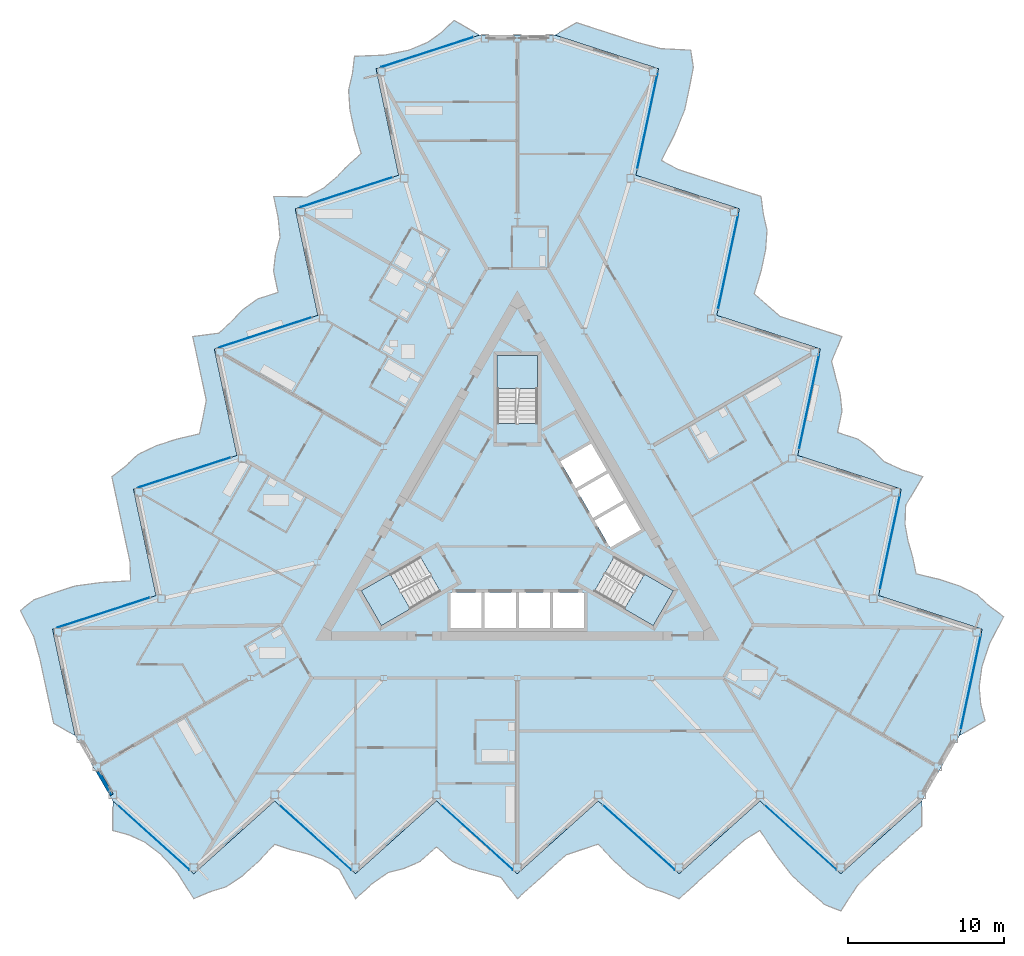
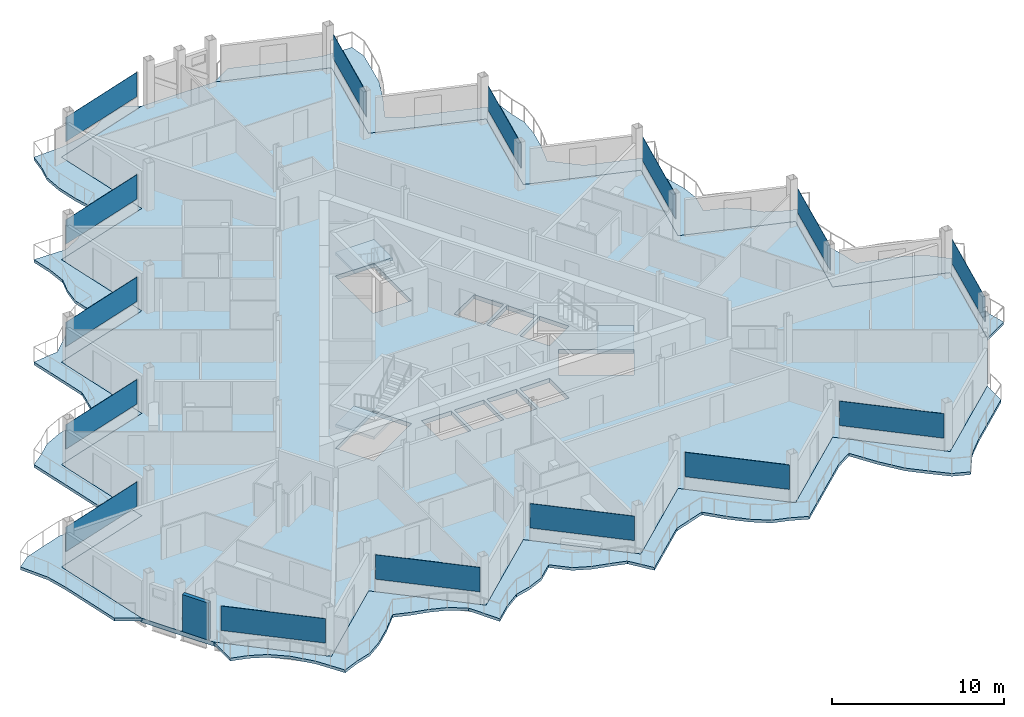
# One storey, part 11 of 26: 15 plates, 7 slabs, 1 wall, 18 elements without a shape of their own.
"""IFC4 building model written with IfcOpenShell, lengths in metres."""

from ifc_helpers import new_model, si_unit, direction, frame, frame_2d, origin, origin_2d, place, context, subcontext, project, spatial, polyline, rectangle, outline, extrude, material, layer, layer_set, type_object, element, aggregate, save


model = new_model("IFC4")

# Units and contexts
model_context = context("Model", 3, precision=1e-05, world=origin(), true_north=direction((0.0, 1.0)))
body_context = subcontext(model_context, "Body", "Model", "MODEL_VIEW")
ifc_project = project(units=[si_unit("LENGTHUNIT", "METRE"), si_unit("AREAUNIT", "SQUARE_METRE"), si_unit("VOLUMEUNIT", "CUBIC_METRE"), si_unit("PLANEANGLEUNIT", "RADIAN"), si_unit("MASSUNIT", "GRAM", prefix="KILO")], contexts=[model_context])

# Site, building, storey
site_placement = place(None, origin())
site = spatial("IfcSite", under=ifc_project, at=site_placement, CompositionType="ELEMENT")
building_placement = place(site_placement, origin())
building = spatial("IfcBuilding", under=site, at=building_placement, Name="Cormorant Prow Tower", CompositionType="ELEMENT")
storey_placement = place(building_placement, frame((0.0, 0.0, 381.39990234375)))
storey = spatial("IfcBuildingStorey", under=building, at=storey_placement, Name="L86", CompositionType="ELEMENT", Elevation=381.39990234375)

# Slabs
ifc_material_1 = material(Name="Concrete C40/50", Category="concrete")
ifc_layer_1 = layer(ifc_material_1, 0.199951171875)
ifc_layer_set_1 = layer_set([ifc_layer_1], Name="Concrete C40/50")
slab_type_1 = type_object("IfcSlabType", Name="Balcony slab 200", PredefinedType="FLOOR", material=ifc_layer_set_1)
slab_1_placement = place(storey_placement, frame((0.0, 0.0, -0.199951171875)))
element("IfcSlab", 1, at=slab_1_placement, inside=storey, type_object=slab_type_1, Name="Balcony slab S L86", PredefinedType="FLOOR", context=body_context, shape_type="SweptSolid", body=[
    extrude(outline(polyline([(-26.0, -17.8095703125), (-26.0, -19.709716796875), (-24.9599609375, -19.9931640625), (-23.919921875, -20.468994140625), (-22.8798828125, -21.272705078125), (-21.840087890625, -22.443359375), (-20.800048828125, -24.091796875), (-19.760009765625, -23.6494140625), (-18.719970703125, -23.329345703125), (-17.679931640625, -22.632568359375), (-16.639892578125, -21.696044921875), (-15.60009765625, -20.595458984375), (-14.56005859375, -20.940673828125), (-13.52001953125, -21.19921875), (-12.47998046875, -21.570556640625), (-11.43994140625, -22.221435546875), (-10.39990234375, -24.091796875), (-9.360107421875, -23.1552734375), (-8.320068359375, -22.416259765625), (-7.280029296875, -22.145751953125), (-6.239990234375, -21.696044921875), (-5.199951171875, -20.759765625), (-4.159912109375, -21.696044921875), (-3.1201171875, -22.1552734375), (-2.080078125, -22.427001953125), (-1.0400390625, -22.725830078125), (0.0, -24.091796875), (1.0400390625, -23.1552734375), (2.080078125, -22.218994140625), (3.1201171875, -21.282470703125), (4.159912109375, -20.930419921875), (5.199951171875, -20.587890625), (6.239990234375, -21.696044921875), (7.280029296875, -22.632568359375), (8.320068359375, -23.33740234375), (9.360107421875, -23.659912109375), (10.39990234375, -24.091796875), (11.43994140625, -23.1552734375), (12.47998046875, -22.218994140625), (13.52001953125, -21.282470703125), (14.56005859375, -20.34619140625), (15.60009765625, -19.698974609375), (16.639892578125, -21.289794921875), (17.679931640625, -22.632568359375), (18.719970703125, -23.56884765625), (19.760009765625, -24.473388671875), (20.800048828125, -24.881103515625), (21.840087890625, -23.27197265625), (22.8798828125, -22.218994140625), (23.919921875, -21.282470703125), (24.9599609375, -20.34619140625), (26.0, -19.40966796875), (26.0, -17.8095703125), (24.9599609375, -18.74609375), (23.919921875, -19.6826171875), (22.8798828125, -20.618896484375), (21.840087890625, -21.555419921875), (20.800048828125, -22.49169921875), (19.760009765625, -21.555419921875), (18.719970703125, -20.618896484375), (17.679931640625, -19.6826171875), (16.639892578125, -18.74609375), (15.60009765625, -17.8095703125), (14.56005859375, -18.74609375), (13.52001953125, -19.6826171875), (12.47998046875, -20.618896484375), (11.43994140625, -21.555419921875), (10.39990234375, -22.49169921875), (9.360107421875, -21.555419921875), (8.320068359375, -20.618896484375), (7.280029296875, -19.6826171875), (6.239990234375, -18.74609375), (5.199951171875, -17.8095703125), (4.159912109375, -18.74609375), (3.1201171875, -19.6826171875), (2.080078125, -20.618896484375), (1.0400390625, -21.555419921875), (0.0, -22.49169921875), (-1.0400390625, -21.555419921875), (-2.080078125, -20.618896484375), (-3.1201171875, -19.6826171875), (-4.159912109375, -18.74609375), (-5.199951171875, -17.8095703125), (-6.239990234375, -18.74609375), (-7.280029296875, -19.6826171875), (-8.320068359375, -20.618896484375), (-9.360107421875, -21.555419921875), (-10.39990234375, -22.49169921875), (-11.43994140625, -21.555419921875), (-12.47998046875, -20.618896484375), (-13.52001953125, -19.6826171875), (-14.56005859375, -18.74609375), (-15.60009765625, -17.8095703125), (-16.639892578125, -18.74609375), (-17.679931640625, -19.6826171875), (-18.719970703125, -20.618896484375), (-19.760009765625, -21.555419921875), (-20.800048828125, -22.49169921875), (-21.840087890625, -21.555419921875), (-22.8798828125, -20.618896484375), (-23.919921875, -19.6826171875), (-24.9599609375, -18.74609375), (-26.0, -17.8095703125)])), origin(), (0.0, 0.0, 1.0), 0.199951171875),
])
slab_2_placement = place(storey_placement, frame((0.0, 0.0, -0.199951171875)))
element("IfcSlab", 2, at=slab_2_placement, inside=storey, type_object=slab_type_1, Name="Balcony slab ENE L86", PredefinedType="FLOOR", context=body_context, shape_type="SweptSolid", body=[
    extrude(outline(polyline([(28.423583984375, -13.61181640625), (30.069091796875, -12.661865234375), (29.794677734375, -11.619384765625), (29.686767578125, -10.48095703125), (29.86279296875, -9.17822265625), (30.356689453125, -7.6923828125), (31.26416015625, -5.967529296875), (30.36083984375, -5.2880859375), (29.563720703125, -4.54736328125), (28.4404296875, -3.9951171875), (27.109375, -3.562744140625), (25.63623046875, -3.21240234375), (25.415283203125, -2.138916015625), (25.119140625, -1.109130859375), (24.920654296875, -0.022705078125), (24.964111328125, 1.203369140625), (26.06396484375, 3.039306640625), (24.733154296875, 3.4716796875), (23.572998046875, 4.0029296875), (22.81884765625, 4.768310546875), (21.909423828125, 5.444091796875), (20.578369140625, 5.87646484375), (20.869384765625, 7.245361328125), (20.7470703125, 8.37548828125), (20.46240234375, 9.412109375), (20.201171875, 10.462158203125), (20.864013671875, 12.0458984375), (19.533203125, 12.478271484375), (18.2021484375, 12.910888671875), (16.87109375, 13.34326171875), (16.046142578125, 14.06787109375), (15.229736328125, 14.79736328125), (15.66943359375, 16.251953125), (15.960205078125, 17.620849609375), (16.05078125, 18.8740234375), (15.81005859375, 19.935791015625), (15.6640625, 21.052490234375), (14.3330078125, 21.485107421875), (13.002197265625, 21.91748046875), (11.671142578125, 22.349853515625), (10.34033203125, 22.782470703125), (9.259765625, 23.359619140625), (10.11767578125, 25.0556640625), (10.76025390625, 26.627685546875), (11.05126953125, 27.996337890625), (11.314697265625, 29.349365234375), (11.147705078125, 30.453857421875), (9.234130859375, 30.550048828125), (7.80224609375, 30.924072265625), (6.47119140625, 31.356689453125), (5.14013671875, 31.7890625), (3.809326171875, 32.221435546875), (2.423583984375, 31.42138671875), (3.754638671875, 30.989013671875), (5.08544921875, 30.556640625), (6.41650390625, 30.1240234375), (7.74755859375, 29.691650390625), (9.078369140625, 29.25927734375), (8.787353515625, 27.890380859375), (8.49658203125, 26.521484375), (8.20556640625, 25.152587890625), (7.91455078125, 23.78369140625), (7.62353515625, 22.414794921875), (8.95458984375, 21.982421875), (10.28564453125, 21.5498046875), (11.616455078125, 21.117431640625), (12.947509765625, 20.68505859375), (14.2783203125, 20.25244140625), (13.987548828125, 18.8837890625), (13.696533203125, 17.514892578125), (13.405517578125, 16.14599609375), (13.114501953125, 14.777099609375), (12.82373046875, 13.408203125), (14.154541015625, 12.9755859375), (15.485595703125, 12.543212890625), (16.81640625, 12.11083984375), (18.1474609375, 11.67822265625), (19.478515625, 11.245849609375), (19.1875, 9.876953125), (18.896484375, 8.508056640625), (18.60546875, 7.13916015625), (18.314697265625, 5.770263671875), (18.023681640625, 4.401611328125), (19.3544921875, 3.968994140625), (20.685546875, 3.53662109375), (22.0166015625, 3.104248046875), (23.347412109375, 2.671630859375), (24.678466796875, 2.2392578125), (24.387451171875, 0.870361328125), (24.096435546875, -0.49853515625), (23.8056640625, -1.867431640625), (23.5146484375, -3.236328125), (23.2236328125, -4.605224609375), (24.5546875, -5.03759765625), (25.885498046875, -5.469970703125), (27.216552734375, -5.902587890625), (28.54736328125, -6.3349609375), (29.87841796875, -6.767333984375), (29.58740234375, -8.13623046875), (29.29638671875, -9.505126953125), (29.005615234375, -10.8740234375), (28.714599609375, -12.242919921875), (28.423583984375, -13.61181640625)])), origin(), (0.0, 0.0, 1.0), 0.199951171875),
])
slab_3_placement = place(storey_placement, frame((0.0, 0.0, -0.199951171875)))
element("IfcSlab", 3, at=slab_3_placement, inside=storey, type_object=slab_type_1, Name="Balcony slab WNW L86", PredefinedType="FLOOR", context=body_context, shape_type="SweptSolid", body=[
    extrude(outline(polyline([(-2.423583984375, 31.42138671875), (-4.069091796875, 32.37158203125), (-4.834716796875, 31.612548828125), (-5.7666015625, 30.94970703125), (-6.982666015625, 30.450927734375), (-8.5166015625, 30.1357421875), (-10.464111328125, 30.059326171875), (-10.600830078125, 28.937255859375), (-10.84375, 27.876708984375), (-10.76025390625, 26.627685546875), (-10.46923828125, 25.2587890625), (-10.0361328125, 23.8076171875), (-10.855224609375, 23.07958984375), (-11.59912109375, 22.308349609375), (-12.440673828125, 21.59326171875), (-13.524169921875, 21.01806640625), (-15.6640625, 21.052490234375), (-15.373046875, 19.68359375), (-15.253173828125, 18.41357421875), (-15.538818359375, 17.37744140625), (-15.66943359375, 16.251953125), (-15.37841796875, 14.883056640625), (-16.70947265625, 14.45068359375), (-17.626953125, 13.779541015625), (-18.38232421875, 13.014892578125), (-19.1611328125, 12.263671875), (-20.864013671875, 12.0458984375), (-20.572998046875, 10.677001953125), (-20.2822265625, 9.30810546875), (-19.9912109375, 7.939208984375), (-20.206298828125, 6.862548828125), (-20.4296875, 5.79052734375), (-21.909423828125, 5.444091796875), (-23.240234375, 5.011474609375), (-24.370849609375, 4.46337890625), (-25.169921875, 3.723876953125), (-26.06396484375, 3.039306640625), (-25.773193359375, 1.67041015625), (-25.482177734375, 0.301513671875), (-25.191162109375, -1.0673828125), (-24.900146484375, -2.436279296875), (-24.85986328125, -3.660400390625), (-26.757568359375, -3.765625), (-28.4404296875, -3.9951171875), (-29.771240234375, -4.427490234375), (-31.07470703125, -4.8759765625), (-31.94775390625, -5.57275390625), (-31.073974609375, -7.278076171875), (-30.68212890625, -8.705322265625), (-30.39111328125, -10.073974609375), (-30.100341796875, -11.44287109375), (-29.809326171875, -12.811767578125), (-28.423583984375, -13.61181640625), (-28.714599609375, -12.242919921875), (-29.005615234375, -10.8740234375), (-29.29638671875, -9.505126953125), (-29.58740234375, -8.13623046875), (-29.87841796875, -6.767333984375), (-28.54736328125, -6.3349609375), (-27.216552734375, -5.902587890625), (-25.885498046875, -5.469970703125), (-24.5546875, -5.03759765625), (-23.2236328125, -4.605224609375), (-23.5146484375, -3.236328125), (-23.8056640625, -1.867431640625), (-24.096435546875, -0.49853515625), (-24.387451171875, 0.870361328125), (-24.678466796875, 2.2392578125), (-23.347412109375, 2.671630859375), (-22.0166015625, 3.104248046875), (-20.685546875, 3.53662109375), (-19.3544921875, 3.968994140625), (-18.023681640625, 4.401611328125), (-18.314697265625, 5.770263671875), (-18.60546875, 7.13916015625), (-18.896484375, 8.508056640625), (-19.1875, 9.876953125), (-19.478515625, 11.245849609375), (-18.1474609375, 11.67822265625), (-16.81640625, 12.11083984375), (-15.485595703125, 12.543212890625), (-14.154541015625, 12.9755859375), (-12.82373046875, 13.408203125), (-13.114501953125, 14.777099609375), (-13.405517578125, 16.14599609375), (-13.696533203125, 17.514892578125), (-13.987548828125, 18.8837890625), (-14.2783203125, 20.25244140625), (-12.947509765625, 20.68505859375), (-11.616455078125, 21.117431640625), (-10.28564453125, 21.5498046875), (-8.95458984375, 21.982421875), (-7.62353515625, 22.414794921875), (-7.91455078125, 23.78369140625), (-8.20556640625, 25.152587890625), (-8.49658203125, 26.521484375), (-8.787353515625, 27.890380859375), (-9.078369140625, 29.25927734375), (-7.74755859375, 29.691650390625), (-6.41650390625, 30.1240234375), (-5.08544921875, 30.556640625), (-3.754638671875, 30.989013671875), (-2.423583984375, 31.42138671875)])), origin(), (0.0, 0.0, 1.0), 0.199951171875),
])
ifc_material_2 = material(Name="Concrete C40/50", Category="concrete")
ifc_layer_2 = layer(ifc_material_2, 0.300048828125)
ifc_layer_set_2 = layer_set([ifc_layer_2], Name="Concrete C40/50")
slab_type_2 = type_object("IfcSlabType", Name="Post-tensioned flat slab 300", PredefinedType="FLOOR", material=ifc_layer_set_2)
slab_4_placement = place(storey_placement, frame((0.0, 0.0, -0.2998046875)))
element("IfcSlab", 4, at=slab_4_placement, inside=storey, type_object=slab_type_2, Name="Floor slab L86", PredefinedType="FLOOR", context=body_context, shape_type="SweptSolid", body=[
    extrude(outline(polyline([(-7.62353515625, 22.414794921875), (-14.2783203125, 20.25244140625), (-12.82373046875, 13.408203125), (-19.478515625, 11.245849609375), (-18.023681640625, 4.401611328125), (-24.678466796875, 2.2392578125), (-23.2236328125, -4.605224609375), (-29.87841796875, -6.767333984375), (-28.423583984375, -13.61181640625), (-27.2119140625, -15.710693359375), (-26.0, -17.8095703125), (-20.800048828125, -22.49169921875), (-15.60009765625, -17.8095703125), (-10.39990234375, -22.49169921875), (-5.199951171875, -17.8095703125), (0.0, -22.49169921875), (5.199951171875, -17.8095703125), (10.39990234375, -22.49169921875), (15.60009765625, -17.8095703125), (20.800048828125, -22.49169921875), (26.0, -17.8095703125), (27.2119140625, -15.710693359375), (28.423583984375, -13.61181640625), (29.87841796875, -6.767333984375), (23.2236328125, -4.605224609375), (24.678466796875, 2.2392578125), (18.023681640625, 4.401611328125), (19.478515625, 11.245849609375), (12.82373046875, 13.408203125), (14.2783203125, 20.25244140625), (7.62353515625, 22.414794921875), (9.078369140625, 29.25927734375), (2.423583984375, 31.42138671875), (0.0, 31.42138671875), (-2.423583984375, 31.42138671875), (-9.078369140625, 29.25927734375), (-7.62353515625, 22.414794921875)]), holes=[polyline([(-4.300048828125, -4.39990234375), (-2.300048828125, -4.39990234375), (-2.300048828125, -6.699951171875), (-4.300048828125, -6.699951171875), (-4.300048828125, -4.39990234375)]), polyline([(-0.10009765625, -4.39990234375), (-0.10009765625, -6.699951171875), (-2.10009765625, -6.699951171875), (-2.10009765625, -4.39990234375), (-0.10009765625, -4.39990234375)]), polyline([(2.10009765625, -6.699951171875), (0.10009765625, -6.699951171875), (0.10009765625, -4.39990234375), (2.10009765625, -4.39990234375), (2.10009765625, -6.699951171875)]), polyline([(2.300048828125, -6.699951171875), (2.300048828125, -4.39990234375), (4.300048828125, -4.39990234375), (4.300048828125, -6.699951171875), (2.300048828125, -6.699951171875)]), polyline([(5.96044921875, -1.52392578125), (4.96044921875, 0.2080078125), (6.952392578125, 1.358154296875), (7.952392578125, -0.373779296875), (5.96044921875, -1.52392578125)]), polyline([(3.860595703125, 2.11328125), (5.852294921875, 3.263427734375), (6.852294921875, 1.53125), (4.860595703125, 0.38134765625), (3.860595703125, 2.11328125)]), polyline([(4.75244140625, 5.168701171875), (5.75244140625, 3.4365234375), (3.760498046875, 2.28662109375), (2.760498046875, 4.018798828125), (4.75244140625, 5.168701171875)]), polyline([(-4.947509765625, -4.3505859375), (-8.738037109375, -6.5390625), (-10.031982421875, -4.2978515625), (-6.241455078125, -2.109375), (-4.947509765625, -4.3505859375)]), polyline([(10.031982421875, -4.2978515625), (8.738037109375, -6.5390625), (4.947509765625, -4.3505859375), (6.241455078125, -2.109375), (10.031982421875, -4.2978515625)]), polyline([(1.2939453125, 10.8369140625), (1.2939453125, 6.459716796875), (-1.2939453125, 6.459716796875), (-1.2939453125, 10.8369140625), (1.2939453125, 10.8369140625)])]), origin(), (0.0, 0.0, 1.0), 0.2998046875),
])

# Curtain wall, plate
ifc_material_3 = material(Name="Aluminium 6063-T6", Category="aluminium")
ifc_layer_3 = layer(ifc_material_3, 0.159912109375)
ifc_layer_set_3 = layer_set([ifc_layer_3], Name="Aluminium 6063-T6")
curtain_wall_type = type_object("IfcCurtainWallType", Name="Residential unitised curtain wall 160", PredefinedType="NOTDEFINED", material=ifc_layer_set_3)
curtain_wall_1_placement = place(storey_placement, origin())
curtain_wall_1 = element("IfcCurtainWall", 5, at=curtain_wall_1_placement, inside=storey, type_object=curtain_wall_type, Name="Residential curtain wall S00", PredefinedType="NOTDEFINED")
ifc_material_4 = material(Name="Clear glass", Category="glass")
ifc_layer_4 = layer(ifc_material_4, 0.02392578125)
ifc_layer_set_4 = layer_set([ifc_layer_4], Name="Clear glass")
plate_type = type_object("IfcPlateType", Name="Residential glass panel 24", PredefinedType="CURTAIN_PANEL", material=ifc_layer_set_4)
plate_1_placement = place(storey_placement, frame((-23.38134765625, -20.16748046875, 0.900146484375), z_axis=(0.0, 0.0, 1.0), x_axis=(0.743144827638, -0.669130603959, 0.0)))
plate_1 = element("IfcPlate", 6, at=plate_1_placement, type_object=plate_type, Name="Residential glass panel S00", PredefinedType="CURTAIN_PANEL", context=body_context, shape_type="SweptSolid", body=[
    extrude(rectangle(XDim=6.21533203125, YDim=0.02392578125, at=origin_2d()), origin(), (0.0, 0.0, 1.0), 1.73388671875),
])
aggregate(curtain_wall_1, [plate_1])

curtain_wall_2_placement = place(storey_placement, origin())
curtain_wall_2 = element("IfcCurtainWall", 7, at=curtain_wall_2_placement, inside=storey, type_object=curtain_wall_type, Name="Residential curtain wall S02", PredefinedType="NOTDEFINED")
plate_2_placement = place(storey_placement, frame((-12.9814453125, -20.16748046875, 0.900146484375), z_axis=(0.0, 0.0, 1.0), x_axis=(0.743144827638, -0.669130603959, 0.0)))
plate_2 = element("IfcPlate", 8, at=plate_2_placement, type_object=plate_type, Name="Residential glass panel S02", PredefinedType="CURTAIN_PANEL", context=body_context, shape_type="SweptSolid", body=[
    extrude(rectangle(XDim=6.21533203125, YDim=0.02392578125, at=origin_2d()), origin(), (0.0, 0.0, 1.0), 1.73388671875),
])
aggregate(curtain_wall_2, [plate_2])

curtain_wall_3_placement = place(storey_placement, origin())
curtain_wall_3 = element("IfcCurtainWall", 9, at=curtain_wall_3_placement, inside=storey, type_object=curtain_wall_type, Name="Residential curtain wall S04", PredefinedType="NOTDEFINED")
plate_3_placement = place(storey_placement, frame((-2.58154296875, -20.16748046875, 0.900146484375), z_axis=(0.0, 0.0, 1.0), x_axis=(0.743144827638, -0.669130603959, 0.0)))
plate_3 = element("IfcPlate", 10, at=plate_3_placement, type_object=plate_type, Name="Residential glass panel S04", PredefinedType="CURTAIN_PANEL", context=body_context, shape_type="SweptSolid", body=[
    extrude(rectangle(XDim=6.21533203125, YDim=0.02392578125, at=origin_2d()), origin(), (0.0, 0.0, 1.0), 1.73388671875),
])
aggregate(curtain_wall_3, [plate_3])

curtain_wall_4_placement = place(storey_placement, origin())
curtain_wall_4 = element("IfcCurtainWall", 11, at=curtain_wall_4_placement, inside=storey, type_object=curtain_wall_type, Name="Residential curtain wall S06", PredefinedType="NOTDEFINED")
plate_4_placement = place(storey_placement, frame((7.818603515625, -20.16748046875, 0.900146484375), z_axis=(0.0, 0.0, 1.0), x_axis=(0.743144827638, -0.669130603959, 0.0)))
plate_4 = element("IfcPlate", 12, at=plate_4_placement, type_object=plate_type, Name="Residential glass panel S06", PredefinedType="CURTAIN_PANEL", context=body_context, shape_type="SweptSolid", body=[
    extrude(rectangle(XDim=6.21533203125, YDim=0.02392578125, at=origin_2d()), origin(), (0.0, 0.0, 1.0), 1.73388671875),
])
aggregate(curtain_wall_4, [plate_4])

curtain_wall_5_placement = place(storey_placement, origin())
curtain_wall_5 = element("IfcCurtainWall", 13, at=curtain_wall_5_placement, inside=storey, type_object=curtain_wall_type, Name="Residential curtain wall S08", PredefinedType="NOTDEFINED")
plate_5_placement = place(storey_placement, frame((18.218505859375, -20.16748046875, 0.900146484375), z_axis=(0.0, 0.0, 1.0), x_axis=(0.743144827638, -0.669130603959, 0.0)))
plate_5 = element("IfcPlate", 14, at=plate_5_placement, type_object=plate_type, Name="Residential glass panel S08", PredefinedType="CURTAIN_PANEL", context=body_context, shape_type="SweptSolid", body=[
    extrude(rectangle(XDim=6.21533203125, YDim=0.02392578125, at=origin_2d()), origin(), (0.0, 0.0, 1.0), 1.73388671875),
])
aggregate(curtain_wall_5, [plate_5])

curtain_wall_6_placement = place(storey_placement, origin())
curtain_wall_6 = element("IfcCurtainWall", 15, at=curtain_wall_6_placement, inside=storey, type_object=curtain_wall_type, Name="Residential curtain wall ENE00", PredefinedType="NOTDEFINED")
plate_6_placement = place(storey_placement, frame((29.15625, -10.165283203125, 0.900146484375), z_axis=(0.0, 0.0, 1.0), x_axis=(0.207911620089, 0.978147615768, 0.0)))
plate_6 = element("IfcPlate", 16, at=plate_6_placement, type_object=plate_type, Name="Residential glass panel ENE00", PredefinedType="CURTAIN_PANEL", context=body_context, shape_type="SweptSolid", body=[
    extrude(rectangle(XDim=6.21533203125, YDim=0.02392578125, at=origin_2d()), origin(), (0.0, 0.0, 1.0), 1.73388671875),
])
aggregate(curtain_wall_6, [plate_6])

curtain_wall_7_placement = place(storey_placement, origin())
curtain_wall_7 = element("IfcCurtainWall", 17, at=curtain_wall_7_placement, inside=storey, type_object=curtain_wall_type, Name="Residential curtain wall ENE02", PredefinedType="NOTDEFINED")
plate_7_placement = place(storey_placement, frame((23.956298828125, -1.158447265625, 0.900146484375), z_axis=(0.0, 0.0, 1.0), x_axis=(0.207911756835, 0.978147586701, 0.0)))
plate_7 = element("IfcPlate", 18, at=plate_7_placement, type_object=plate_type, Name="Residential glass panel ENE02", PredefinedType="CURTAIN_PANEL", context=body_context, shape_type="SweptSolid", body=[
    extrude(rectangle(XDim=6.21533203125, YDim=0.02392578125, at=origin_2d()), origin(), (0.0, 0.0, 1.0), 1.73388671875),
])
aggregate(curtain_wall_7, [plate_7])

curtain_wall_8_placement = place(storey_placement, origin())
curtain_wall_8 = element("IfcCurtainWall", 19, at=curtain_wall_8_placement, inside=storey, type_object=curtain_wall_type, Name="Residential curtain wall ENE04", PredefinedType="NOTDEFINED")
plate_8_placement = place(storey_placement, frame((18.756103515625, 7.84814453125, 0.900146484375), z_axis=(0.0, 0.0, 1.0), x_axis=(0.207911756835, 0.978147586701, 0.0)))
plate_8 = element("IfcPlate", 20, at=plate_8_placement, type_object=plate_type, Name="Residential glass panel ENE04", PredefinedType="CURTAIN_PANEL", context=body_context, shape_type="SweptSolid", body=[
    extrude(rectangle(XDim=6.21533203125, YDim=0.02392578125, at=origin_2d()), origin(), (0.0, 0.0, 1.0), 1.73388671875),
])
aggregate(curtain_wall_8, [plate_8])

curtain_wall_9_placement = place(storey_placement, origin())
curtain_wall_9 = element("IfcCurtainWall", 21, at=curtain_wall_9_placement, inside=storey, type_object=curtain_wall_type, Name="Residential curtain wall ENE06", PredefinedType="NOTDEFINED")
plate_9_placement = place(storey_placement, frame((13.55615234375, 16.854736328125, 0.900146484375), z_axis=(0.0, 0.0, 1.0), x_axis=(0.207911756835, 0.978147586701, 0.0)))
plate_9 = element("IfcPlate", 22, at=plate_9_placement, type_object=plate_type, Name="Residential glass panel ENE06", PredefinedType="CURTAIN_PANEL", context=body_context, shape_type="SweptSolid", body=[
    extrude(rectangle(XDim=6.21533203125, YDim=0.02392578125, at=origin_2d()), origin(), (0.0, 0.0, 1.0), 1.73388671875),
])
aggregate(curtain_wall_9, [plate_9])

curtain_wall_10_placement = place(storey_placement, origin())
curtain_wall_10 = element("IfcCurtainWall", 23, at=curtain_wall_10_placement, inside=storey, type_object=curtain_wall_type, Name="Residential curtain wall ENE08", PredefinedType="NOTDEFINED")
plate_10_placement = place(storey_placement, frame((8.356201171875, 25.861572265625, 0.900146484375), z_axis=(0.0, 0.0, 1.0), x_axis=(0.207911785891, 0.978147580525, 0.0)))
plate_10 = element("IfcPlate", 24, at=plate_10_placement, type_object=plate_type, Name="Residential glass panel ENE08", PredefinedType="CURTAIN_PANEL", context=body_context, shape_type="SweptSolid", body=[
    extrude(rectangle(XDim=6.21533203125, YDim=0.02392578125, at=origin_2d()), origin(), (0.0, 0.0, 1.0), 1.73388671875),
])
aggregate(curtain_wall_10, [plate_10])

curtain_wall_11_placement = place(storey_placement, origin())
curtain_wall_11 = element("IfcCurtainWall", 25, at=curtain_wall_11_placement, inside=storey, type_object=curtain_wall_type, Name="Residential curtain wall WNW00", PredefinedType="NOTDEFINED")
plate_11_placement = place(storey_placement, frame((-5.77490234375, 30.33251953125, 0.900146484375), z_axis=(0.0, 0.0, 1.0), x_axis=(-0.951056506549, -0.309017024369, 0.0)))
plate_11 = element("IfcPlate", 26, at=plate_11_placement, type_object=plate_type, Name="Residential glass panel WNW00", PredefinedType="CURTAIN_PANEL", context=body_context, shape_type="SweptSolid", body=[
    extrude(rectangle(XDim=6.21533203125, YDim=0.02392578125, at=origin_2d()), origin(), (0.0, 0.0, 1.0), 1.73388671875),
])
aggregate(curtain_wall_11, [plate_11])

curtain_wall_12_placement = place(storey_placement, origin())
curtain_wall_12 = element("IfcCurtainWall", 27, at=curtain_wall_12_placement, inside=storey, type_object=curtain_wall_type, Name="Residential curtain wall WNW02", PredefinedType="NOTDEFINED")
plate_12_placement = place(storey_placement, frame((-10.974853515625, 21.325927734375, 0.900146484375), z_axis=(0.0, 0.0, 1.0), x_axis=(-0.951056506549, -0.309017024369, 0.0)))
plate_12 = element("IfcPlate", 28, at=plate_12_placement, type_object=plate_type, Name="Residential glass panel WNW02", PredefinedType="CURTAIN_PANEL", context=body_context, shape_type="SweptSolid", body=[
    extrude(rectangle(XDim=6.21533203125, YDim=0.02392578125, at=origin_2d()), origin(), (0.0, 0.0, 1.0), 1.73388671875),
])
aggregate(curtain_wall_12, [plate_12])

curtain_wall_13_placement = place(storey_placement, origin())
curtain_wall_13 = element("IfcCurtainWall", 29, at=curtain_wall_13_placement, inside=storey, type_object=curtain_wall_type, Name="Residential curtain wall WNW04", PredefinedType="NOTDEFINED")
plate_13_placement = place(storey_placement, frame((-16.1748046875, 12.3193359375, 0.900146484375), z_axis=(0.0, 0.0, 1.0), x_axis=(-0.951056548553, -0.309016895096, 0.0)))
plate_13 = element("IfcPlate", 30, at=plate_13_placement, type_object=plate_type, Name="Residential glass panel WNW04", PredefinedType="CURTAIN_PANEL", context=body_context, shape_type="SweptSolid", body=[
    extrude(rectangle(XDim=6.21533203125, YDim=0.02392578125, at=origin_2d()), origin(), (0.0, 0.0, 1.0), 1.73388671875),
])
aggregate(curtain_wall_13, [plate_13])

curtain_wall_14_placement = place(storey_placement, origin())
curtain_wall_14 = element("IfcCurtainWall", 31, at=curtain_wall_14_placement, inside=storey, type_object=curtain_wall_type, Name="Residential curtain wall WNW06", PredefinedType="NOTDEFINED")
plate_14_placement = place(storey_placement, frame((-21.374755859375, 3.312744140625, 0.900146484375), z_axis=(0.0, 0.0, 1.0), x_axis=(-0.951056506549, -0.309017024369, 0.0)))
plate_14 = element("IfcPlate", 32, at=plate_14_placement, type_object=plate_type, Name="Residential glass panel WNW06", PredefinedType="CURTAIN_PANEL", context=body_context, shape_type="SweptSolid", body=[
    extrude(rectangle(XDim=6.21533203125, YDim=0.02392578125, at=origin_2d()), origin(), (0.0, 0.0, 1.0), 1.73388671875),
])
aggregate(curtain_wall_14, [plate_14])

curtain_wall_15_placement = place(storey_placement, origin())
curtain_wall_15 = element("IfcCurtainWall", 33, at=curtain_wall_15_placement, inside=storey, type_object=curtain_wall_type, Name="Residential curtain wall WNW08", PredefinedType="NOTDEFINED")
plate_15_placement = place(storey_placement, frame((-26.57470703125, -5.694091796875, 0.900146484375), z_axis=(0.0, 0.0, 1.0), x_axis=(-0.951056548553, -0.309016895096, 0.0)))
plate_15 = element("IfcPlate", 34, at=plate_15_placement, type_object=plate_type, Name="Residential glass panel WNW08", PredefinedType="CURTAIN_PANEL", context=body_context, shape_type="SweptSolid", body=[
    extrude(rectangle(XDim=6.21533203125, YDim=0.02392578125, at=origin_2d()), origin(), (0.0, 0.0, 1.0), 1.73388671875),
])
aggregate(curtain_wall_15, [plate_15])

# Stair, slab
ifc_material_5 = material(Name="Exit stair 18 risers")
stair_type = type_object("IfcStairType", Name="Exit stair 18 risers", PredefinedType="HALF_TURN_STAIR", material=ifc_material_5)
stair_1_placement = place(storey_placement, origin())
stair_1 = element("IfcStair", 35, at=stair_1_placement, inside=storey, type_object=stair_type, Name="L86 Exit stair ST1", PredefinedType="HALF_TURN_STAIR")
ifc_material_6 = material(Name="Concrete 5000 psi", Category="concrete")
ifc_layer_5 = layer(ifc_material_6, 0.199951171875)
ifc_layer_set_5 = layer_set([ifc_layer_5], Name="Concrete 5000 psi")
slab_type_3 = type_object("IfcSlabType", Name="Stair landing 200", PredefinedType="LANDING", material=ifc_layer_set_5)
slab_5_placement = place(storey_placement, frame((0.0, 0.0, 1.5)))
slab_5 = element("IfcSlab", 36, at=slab_5_placement, type_object=slab_type_3, Name="ST1 landing 1", PredefinedType="LANDING", context=body_context, shape_type="SweptSolid", body=[
    extrude(outline(polyline([(-8.17431640625, -3.225341796875), (-10.031982421875, -4.2978515625), (-8.738037109375, -6.5390625), (-6.88037109375, -5.466552734375), (-8.17431640625, -3.225341796875)])), origin(), (0.0, 0.0, 1.0), 0.2001953125),
])
aggregate(stair_1, [slab_5])

stair_2_placement = place(storey_placement, origin())
stair_2 = element("IfcStair", 37, at=stair_2_placement, inside=storey, type_object=stair_type, Name="L86 Exit stair ST2", PredefinedType="HALF_TURN_STAIR")
slab_6_placement = place(storey_placement, frame((0.0, 0.0, 1.5)))
slab_6 = element("IfcSlab", 38, at=slab_6_placement, type_object=slab_type_3, Name="ST2 landing 1", PredefinedType="LANDING", context=body_context, shape_type="SweptSolid", body=[
    extrude(outline(polyline([(6.88037109375, -5.466552734375), (8.738037109375, -6.5390625), (10.031982421875, -4.2978515625), (8.17431640625, -3.225341796875), (6.88037109375, -5.466552734375)])), origin(), (0.0, 0.0, 1.0), 0.2001953125),
])
aggregate(stair_2, [slab_6])

stair_3_placement = place(storey_placement, origin())
stair_3 = element("IfcStair", 39, at=stair_3_placement, inside=storey, type_object=stair_type, Name="L86 Exit stair ST3", PredefinedType="HALF_TURN_STAIR")
slab_7_placement = place(storey_placement, frame((0.0, 0.0, 1.5)))
slab_7 = element("IfcSlab", 40, at=slab_7_placement, type_object=slab_type_3, Name="ST3 landing 1", PredefinedType="LANDING", context=body_context, shape_type="SweptSolid", body=[
    extrude(outline(polyline([(1.2939453125, 8.69189453125), (1.2939453125, 10.8369140625), (-1.2939453125, 10.8369140625), (-1.2939453125, 8.69189453125), (1.2939453125, 8.69189453125)])), origin(), (0.0, 0.0, 1.0), 0.2001953125),
])
aggregate(stair_3, [slab_7])

# Wall
ifc_material_7 = material(Name="Terracotta", Category="masonry")
ifc_layer_6 = layer(ifc_material_7, 0.25)
ifc_layer_set_6 = layer_set([ifc_layer_6], Name="Terracotta")
wall_type = type_object("IfcWallType", Name="Terracotta bay wall 250", PredefinedType="SOLIDWALL", material=ifc_layer_set_6)
wall_placement = place(storey_placement, frame((-26.95263671875, -15.90966796875, 0.0), z_axis=(0.0, 0.0, 1.0), x_axis=(0.500027377864, -0.86600959659, 0.0)))
element("IfcWall", 41, at=wall_placement, inside=storey, type_object=wall_type, Name="Terracotta bay wall WSW01", PredefinedType="SOLIDWALL", context=body_context, shape_type="SweptSolid", body=[
    extrude(rectangle(XDim=1.755859375, YDim=0.25, at=frame_2d((0.8779296875, 0.0))), origin(), (0.0, 0.0, 1.0), 2.634033203125),
])

save(model, "model.ifc")
